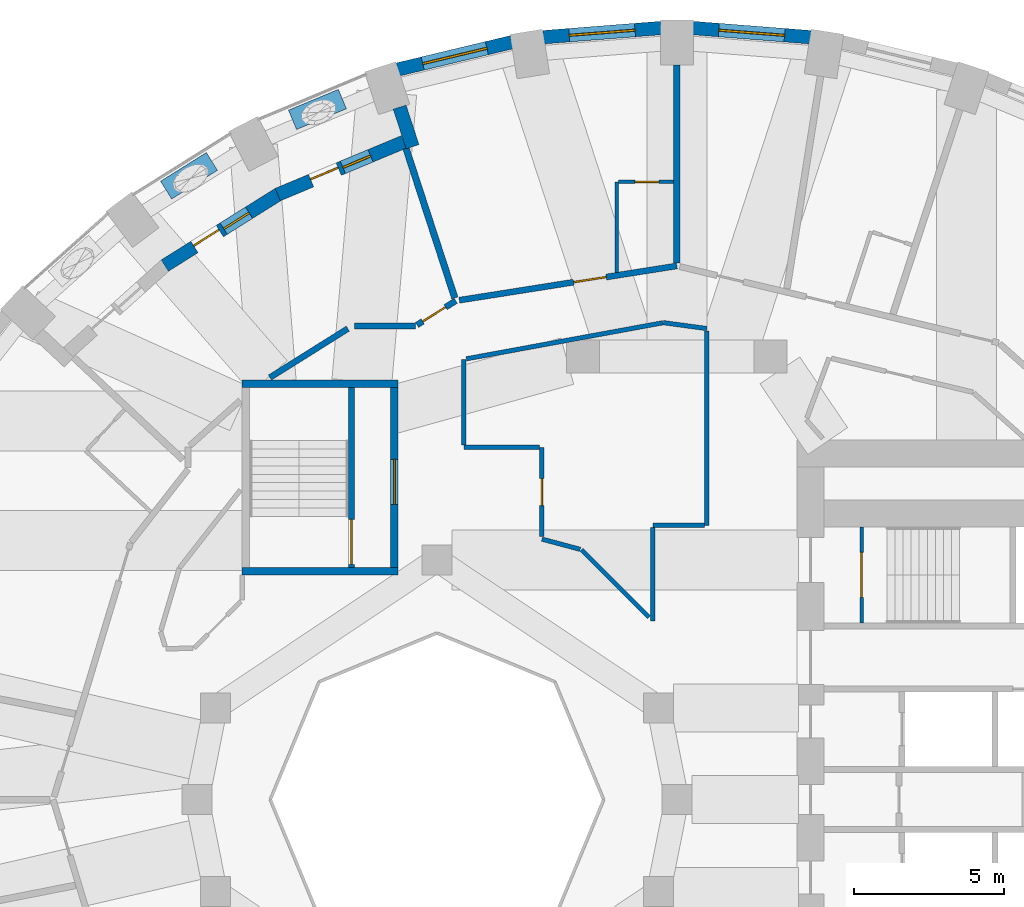
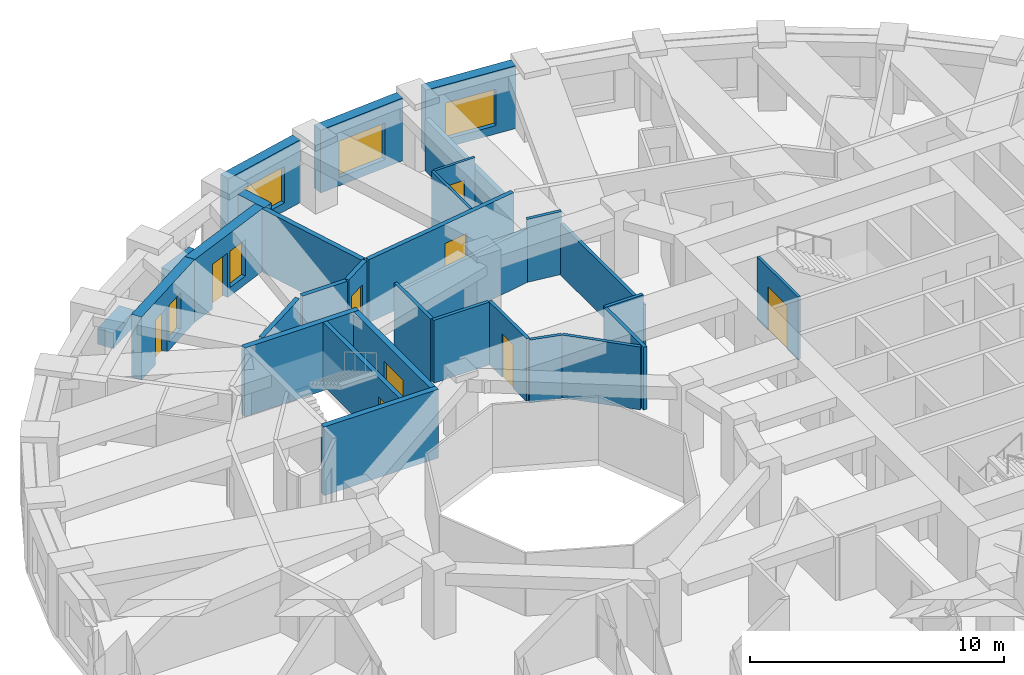
# One storey, part 8 of 13: 31 walls, 9 doors, 5 windows, 14 openings.
"""IFC4 building model written with IfcOpenShell, lengths in metres."""

from ifc_helpers import new_model, si_unit, direction, frame, frame_2d, origin, place, context, subcontext, project, spatial, rectangle, extrude, material, layer, layer_set, constituent, constituent_set, type_object, element, fill, save


model = new_model("IFC4")

# Units and contexts
model_context = context("Model", 3, precision=1e-05, world=origin(), true_north=direction((0.0, 1.0)))
body_context = subcontext(model_context, "Body", "Model", "MODEL_VIEW")
ifc_project = project(units=[si_unit("LENGTHUNIT", "METRE"), si_unit("AREAUNIT", "SQUARE_METRE"), si_unit("VOLUMEUNIT", "CUBIC_METRE"), si_unit("PLANEANGLEUNIT", "RADIAN"), si_unit("MASSUNIT", "GRAM", prefix="KILO")], contexts=[model_context])

# Site, building, storey
site_placement = place(None, origin())
site = spatial("IfcSite", under=ifc_project, at=site_placement, CompositionType="ELEMENT")
building_placement = place(site_placement, origin())
building = spatial("IfcBuilding", under=site, at=building_placement, Name="Taillehof Tower", CompositionType="ELEMENT")
storey_placement = place(building_placement, frame((0.0, 0.0, 48.10009765625)))
storey = spatial("IfcBuildingStorey", under=building, at=storey_placement, Name="L12", CompositionType="ELEMENT", Elevation=48.10009765625)

# Wall, opening, window
ifc_material_1 = material(Name="Brick masonry", Category="masonry")
ifc_layer_1 = layer(ifc_material_1, 0.449951171875)
ifc_layer_set_1 = layer_set([ifc_layer_1], Name="Brick infill wall 450")
wall_type_1 = type_object("IfcWallType", Name="Brick infill wall 450", PredefinedType="SOLIDWALL", material=ifc_layer_set_1)
wall_1_placement = place(storey_placement, frame((4.457275390625, 25.42578125, 0.0), z_axis=(0.0, 0.0, 1.0), x_axis=(-0.996955972145, 0.077966592873, 0.0)))
wall_1 = element("IfcWall", 1, at=wall_1_placement, inside=storey, type_object=wall_type_1, Name="Brick wall L12 bay 9", PredefinedType="SOLIDWALL", context=body_context, shape_type="SweptSolid", body=[
    extrude(rectangle(XDim=3.939208984375, YDim=0.449951171875, at=frame_2d((1.9697265625, 0.0))), origin(), (0.0, 0.0, 1.0), 3.02001953125),
])
opening_1_placement = place(wall_1_placement, frame((0.86962890625, 0.0, 0.39990234375)))
opening_1 = element("IfcOpeningElement", 2, at=opening_1_placement, cuts=wall_1, Name="Opening W1", PredefinedType="OPENING", context=body_context, shape_type="SweptSolid", body=[
    extrude(rectangle(XDim=2.199951171875, YDim=1.75, at=frame_2d((1.10009765625, 0.875))), frame((0.0, 0.23486328125, 0.0), z_axis=(0.0, -1.0, 0.0), x_axis=(1.0, 0.0, 0.0)), (0.0, 0.0, 1.0), 0.469970703125),
])
ifc_material_2 = material(Name="Aluminium window frame with clear double glazing", Category="aluminium")
window_type_1 = type_object("IfcWindowType", Name="Deep-set window 2200x1750", PartitioningType="SINGLE_PANEL", PredefinedType="WINDOW", material=ifc_material_2)
window_1_placement = place(opening_1_placement, origin())
window_1 = element("IfcWindow", 3, at=window_1_placement, inside=storey, type_object=window_type_1, Name="W1", OverallHeight=1.75, OverallWidth=2.199951171875, PartitioningType="SINGLE_PANEL", PredefinedType="WINDOW", context=body_context, shape_type="SweptSolid", body=[
    extrude(rectangle(XDim=2.199951171875, YDim=1.75, at=frame_2d((1.10009765625, 0.875))), frame((0.0, 0.034912109375, 0.0), z_axis=(0.0, -1.0, 0.0), x_axis=(1.0, 0.0, 0.0)), (0.0, 0.0, 1.0), 0.06005859375),
])
fill(opening_1, window_1)

wall_2_placement = place(storey_placement, frame((-0.530029296875, 25.73291015625, 0.0), z_axis=(0.0, 0.0, 1.0), x_axis=(-0.996955972145, -0.077966592873, 0.0)))
wall_2 = element("IfcWall", 4, at=wall_2_placement, inside=storey, type_object=wall_type_1, Name="Brick wall L12 bay 10", PredefinedType="SOLIDWALL", context=body_context, shape_type="SweptSolid", body=[
    extrude(rectangle(XDim=3.939208984375, YDim=0.449951171875, at=frame_2d((1.9697265625, 0.0))), origin(), (0.0, 0.0, 1.0), 3.02001953125),
])
opening_2_placement = place(wall_2_placement, frame((0.86962890625, 0.0, 0.39990234375)))
opening_2 = element("IfcOpeningElement", 5, at=opening_2_placement, cuts=wall_2, Name="Opening W1", PredefinedType="OPENING", context=body_context, shape_type="SweptSolid", body=[
    extrude(rectangle(XDim=2.199951171875, YDim=1.75, at=frame_2d((1.10009765625, 0.875))), frame((0.0, 0.23486328125, 0.0), z_axis=(0.0, -1.0, 0.0), x_axis=(1.0, 0.0, 0.0)), (0.0, 0.0, 1.0), 0.469970703125),
])
window_2_placement = place(opening_2_placement, origin())
window_2 = element("IfcWindow", 6, at=window_2_placement, inside=storey, type_object=window_type_1, Name="W1", OverallHeight=1.75, OverallWidth=2.199951171875, PartitioningType="SINGLE_PANEL", PredefinedType="WINDOW", context=body_context, shape_type="SweptSolid", body=[
    extrude(rectangle(XDim=2.199951171875, YDim=1.75, at=frame_2d((1.10009765625, 0.875))), frame((0.0, 0.034912109375, 0.0), z_axis=(0.0, -1.0, 0.0), x_axis=(1.0, 0.0, 0.0)), (0.0, 0.0, 1.0), 0.06005859375),
])
fill(opening_2, window_2)

wall_3_placement = place(storey_placement, frame((-5.50439453125, 25.260498046875, 0.0), z_axis=(0.0, 0.0, 1.0), x_axis=(-0.972496561493, -0.232917233979, 0.0)))
wall_3 = element("IfcWall", 7, at=wall_3_placement, inside=storey, type_object=wall_type_1, Name="Brick wall L12 bay 11", PredefinedType="SOLIDWALL", context=body_context, shape_type="SweptSolid", body=[
    extrude(rectangle(XDim=3.910888671875, YDim=0.449951171875, at=frame_2d((1.95556640625, 0.0))), origin(), (0.0, 0.0, 1.0), 3.02001953125),
])
opening_3_placement = place(wall_3_placement, frame((0.855224609375, 0.0, 0.39990234375)))
opening_3 = element("IfcOpeningElement", 8, at=opening_3_placement, cuts=wall_3, Name="Opening W1", PredefinedType="OPENING", context=body_context, shape_type="SweptSolid", body=[
    extrude(rectangle(XDim=2.199951171875, YDim=1.75, at=frame_2d((1.10009765625, 0.875))), frame((0.0, 0.23486328125, 0.0), z_axis=(0.0, -1.0, 0.0), x_axis=(1.0, 0.0, 0.0)), (0.0, 0.0, 1.0), 0.469970703125),
])
window_3_placement = place(opening_3_placement, origin())
window_3 = element("IfcWindow", 9, at=window_3_placement, inside=storey, type_object=window_type_1, Name="W1", OverallHeight=1.75, OverallWidth=2.199951171875, PartitioningType="SINGLE_PANEL", PredefinedType="WINDOW", context=body_context, shape_type="SweptSolid", body=[
    extrude(rectangle(XDim=2.199951171875, YDim=1.75, at=frame_2d((1.10009765625, 0.875))), frame((0.0, 0.034912109375, 0.0), z_axis=(0.0, -1.0, 0.0), x_axis=(1.0, 0.0, 0.0)), (0.0, 0.0, 1.0), 0.06005859375),
])
fill(opening_3, window_3)

# Wall
wall_4_placement = place(storey_placement, frame((-9.24560546875, 23.09521484375, 0.0), z_axis=(0.0, 0.0, 1.0), x_axis=(0.310110311429, -0.950700581017, 0.0)))
element("IfcWall", 10, at=wall_4_placement, inside=storey, type_object=wall_type_1, Name="Brick reveal L12 pocket 3", PredefinedType="SOLIDWALL", context=body_context, shape_type="SweptSolid", body=[
    extrude(rectangle(XDim=1.390380859375, YDim=0.449951171875, at=frame_2d((0.6953125, 0.0))), origin(), (0.0, 0.0, 1.0), 3.02001953125),
])

# Wall, openings, door, window
wall_5_placement = place(storey_placement, frame((-9.10400390625, 21.935791015625, 0.0), z_axis=(0.0, 0.0, 1.0), x_axis=(-0.922645368502, -0.385649483317, 0.0)))
wall_5 = element("IfcWall", 11, at=wall_5_placement, inside=storey, type_object=wall_type_1, Name="Brick wall L12 pocket bay 12", PredefinedType="SOLIDWALL", context=body_context, shape_type="SweptSolid", body=[
    extrude(rectangle(XDim=4.55859375, YDim=0.449951171875, at=frame_2d((2.279296875, 0.0))), origin(), (0.0, 0.0, 1.0), 3.02001953125),
])
opening_4_placement = place(wall_5_placement, frame((1.204345703125, 0.0, 0.39990234375)))
opening_4 = element("IfcOpeningElement", 12, at=opening_4_placement, cuts=wall_5, Name="Opening W5", PredefinedType="OPENING", context=body_context, shape_type="SweptSolid", body=[
    extrude(rectangle(XDim=1.0, YDim=1.75, at=frame_2d((0.5, 0.875))), frame((0.0, 0.23486328125, 0.0), z_axis=(0.0, -1.0, 0.0), x_axis=(1.0, 0.0, 0.0)), (0.0, 0.0, 1.0), 0.469970703125),
])
opening_5_placement = place(wall_5_placement, frame((2.354248046875, 0.0, 0.0)))
opening_5 = element("IfcOpeningElement", 13, at=opening_5_placement, cuts=wall_5, Name="Opening D1294", PredefinedType="OPENING", context=body_context, shape_type="SweptSolid", body=[
    extrude(rectangle(XDim=1.0, YDim=2.14990234375, at=frame_2d((0.5, 1.074951171875))), frame((0.0, 0.23486328125, 0.0), z_axis=(0.0, -1.0, 0.0), x_axis=(1.0, 0.0, 0.0)), (0.0, 0.0, 1.0), 0.469970703125),
])
ifc_material_3 = material(Name="Aluminium door frame with clear double glazing", Category="aluminium")
door_type_1 = type_object("IfcDoorType", Name="Balcony door 1000x2150", OperationType="SINGLE_SWING_RIGHT", PredefinedType="DOOR", material=ifc_material_3)
door_1_placement = place(opening_5_placement, frame((1.0, 0.0, 0.0), z_axis=(0.0, 0.0, 1.0), x_axis=(-1.0, 0.0, 0.0)))
door_1 = element("IfcDoor", 14, at=door_1_placement, inside=storey, type_object=door_type_1, Name="Balcony door L12 bay 12", OperationType="SINGLE_SWING_RIGHT", OverallHeight=2.14990234375, OverallWidth=1.0, PredefinedType="DOOR", context=body_context, shape_type="SweptSolid", body=[
    extrude(rectangle(XDim=1.0, YDim=2.14990234375, at=frame_2d((0.5, 1.074951171875))), frame((0.0, 0.0751953125, 0.0), z_axis=(0.0, -1.0, 0.0), x_axis=(1.0, 0.0, 0.0)), (0.0, 0.0, 1.0), 0.050048828125),
])
fill(opening_5, door_1)
ifc_material_4 = material(Name="Aluminium window frame with clear double glazing", Category="aluminium")
window_type_2 = type_object("IfcWindowType", Name="Fixed window 1000x1750", PartitioningType="SINGLE_PANEL", PredefinedType="WINDOW", material=ifc_material_4)
window_4_placement = place(opening_4_placement, origin())
window_4 = element("IfcWindow", 15, at=window_4_placement, inside=storey, type_object=window_type_2, Name="W5", OverallHeight=1.75, OverallWidth=1.0, PartitioningType="SINGLE_PANEL", PredefinedType="WINDOW", context=body_context, shape_type="SweptSolid", body=[
    extrude(rectangle(XDim=1.0, YDim=1.75, at=frame_2d((0.5, 0.875))), frame((0.0, 0.034912109375, 0.0), z_axis=(0.0, -1.0, 0.0), x_axis=(1.0, 0.0, 0.0)), (0.0, 0.0, 1.0), 0.06005859375),
])
fill(opening_4, window_4)

wall_6_placement = place(storey_placement, frame((-13.277099609375, 20.194580078125, 0.0), z_axis=(0.0, 0.0, 1.0), x_axis=(-0.846976005863, -0.531631117874, 0.0)))
wall_6 = element("IfcWall", 16, at=wall_6_placement, inside=storey, type_object=wall_type_1, Name="Brick wall L12 pocket bay 13", PredefinedType="SOLIDWALL", context=body_context, shape_type="SweptSolid", body=[
    extrude(rectangle(XDim=4.488037109375, YDim=0.449951171875, at=frame_2d((2.244140625, 0.0))), origin(), (0.0, 0.0, 1.0), 3.02001953125),
])
opening_6_placement = place(wall_6_placement, frame((1.1689453125, 0.0, 0.39990234375)))
opening_6 = element("IfcOpeningElement", 17, at=opening_6_placement, cuts=wall_6, Name="Opening W5", PredefinedType="OPENING", context=body_context, shape_type="SweptSolid", body=[
    extrude(rectangle(XDim=1.0, YDim=1.75, at=frame_2d((0.5, 0.875))), frame((0.0, 0.23486328125, 0.0), z_axis=(0.0, -1.0, 0.0), x_axis=(1.0, 0.0, 0.0)), (0.0, 0.0, 1.0), 0.469970703125),
])
opening_7_placement = place(wall_6_placement, frame((2.319091796875, 0.0, 0.0)))
opening_7 = element("IfcOpeningElement", 18, at=opening_7_placement, cuts=wall_6, Name="Opening D1295", PredefinedType="OPENING", context=body_context, shape_type="SweptSolid", body=[
    extrude(rectangle(XDim=1.0, YDim=2.14990234375, at=frame_2d((0.5, 1.074951171875))), frame((0.0, 0.23486328125, 0.0), z_axis=(0.0, -1.0, 0.0), x_axis=(1.0, 0.0, 0.0)), (0.0, 0.0, 1.0), 0.469970703125),
])
door_2_placement = place(opening_7_placement, frame((1.0, 0.0, 0.0), z_axis=(0.0, 0.0, 1.0), x_axis=(-1.0, 0.0, 0.0)))
door_2 = element("IfcDoor", 19, at=door_2_placement, inside=storey, type_object=door_type_1, Name="Balcony door L12 bay 13", OperationType="SINGLE_SWING_LEFT", OverallHeight=2.14990234375, OverallWidth=1.0, PredefinedType="DOOR", context=body_context, shape_type="SweptSolid", body=[
    extrude(rectangle(XDim=1.0, YDim=2.14990234375, at=frame_2d((0.5, 1.074951171875))), frame((0.0, 0.0751953125, 0.0), z_axis=(0.0, -1.0, 0.0), x_axis=(1.0, 0.0, 0.0)), (0.0, 0.0, 1.0), 0.050048828125),
])
fill(opening_7, door_2)
window_5_placement = place(opening_6_placement, origin())
window_5 = element("IfcWindow", 20, at=window_5_placement, inside=storey, type_object=window_type_2, Name="W5", OverallHeight=1.75, OverallWidth=1.0, PartitioningType="SINGLE_PANEL", PredefinedType="WINDOW", context=body_context, shape_type="SweptSolid", body=[
    extrude(rectangle(XDim=1.0, YDim=1.75, at=frame_2d((0.5, 0.875))), frame((0.0, 0.034912109375, 0.0), z_axis=(0.0, -1.0, 0.0), x_axis=(1.0, 0.0, 0.0)), (0.0, 0.0, 1.0), 0.06005859375),
])
fill(opening_6, window_5)

# Walls
ifc_material_5 = material(Name="Gypsum board on steel studs, two layers each side", Category="steel")
ifc_layer_2 = layer(ifc_material_5, 0.199951171875)
ifc_layer_set_2 = layer_set([ifc_layer_2], Name="Compartment wall corridor 200")
wall_type_2 = type_object("IfcWallType", Name="Compartment wall corridor 200", PredefinedType="PARTITIONING", material=ifc_layer_set_2)
wall_7_placement = place(storey_placement, frame((-13.57080078125, 14.077392578125, 0.0), z_axis=(0.0, 0.0, 1.0), x_axis=(0.846954991261, 0.53166459613, 0.0)))
element("IfcWall", 21, at=wall_7_placement, inside=storey, type_object=wall_type_2, Name="Compartment wall", PredefinedType="PARTITIONING", context=body_context, shape_type="SweptSolid", body=[
    extrude(rectangle(XDim=3.06787109375, YDim=0.199951171875, at=frame_2d((1.533935546875, 0.0))), origin(), (0.0, 0.0, 1.0), 3.02001953125),
])
wall_8_placement = place(storey_placement, frame((-10.75341796875, 15.800048828125, 0.0), z_axis=(0.0, 0.0, 1.0), x_axis=(1.0, 0.0, 0.0)))
element("IfcWall", 22, at=wall_8_placement, inside=storey, type_object=wall_type_2, Name="Compartment wall", PredefinedType="PARTITIONING", context=body_context, shape_type="SweptSolid", body=[
    extrude(rectangle(XDim=2.03857421875, YDim=0.199951171875, at=frame_2d((1.019287109375, 0.0))), origin(), (0.0, 0.0, 1.0), 3.02001953125),
])

# Wall, opening, door
wall_9_placement = place(storey_placement, frame((-8.664306640625, 15.83154296875, 0.0), z_axis=(0.0, 0.0, 1.0), x_axis=(0.848304931689, 0.529508019648, 0.0)))
wall_9 = element("IfcWall", 23, at=wall_9_placement, inside=storey, type_object=wall_type_2, Name="Compartment wall", PredefinedType="PARTITIONING", context=body_context, shape_type="SweptSolid", body=[
    extrude(rectangle(XDim=1.520263671875, YDim=0.199951171875, at=frame_2d((0.76025390625, 0.0))), origin(), (0.0, 0.0, 1.0), 3.02001953125),
])
opening_8_placement = place(wall_9_placement, frame((0.219970703125, 0.0, 0.0)))
opening_8 = element("IfcOpeningElement", 24, at=opening_8_placement, cuts=wall_9, Name="Opening D1247", PredefinedType="OPENING", context=body_context, shape_type="SweptSolid", body=[
    extrude(rectangle(XDim=0.89990234375, YDim=2.10009765625, at=frame_2d((0.449951171875, 1.050048828125))), frame((0.0, 0.10986328125, 0.0), z_axis=(0.0, -1.0, 0.0), x_axis=(1.0, 0.0, 0.0)), (0.0, 0.0, 1.0), 0.219970703125),
])
ifc_material_6 = material(Name="Timber door leaf in steel frame", Category="steel")
door_type_2 = type_object("IfcDoorType", Name="Service room door EI 30 900 x 2100", OperationType="SINGLE_SWING_LEFT", PredefinedType="DOOR", material=ifc_material_6)
door_3_placement = place(opening_8_placement, origin())
door_3 = element("IfcDoor", 25, at=door_3_placement, inside=storey, type_object=door_type_2, Name="D1247", OperationType="SINGLE_SWING_LEFT", OverallHeight=2.10009765625, OverallWidth=0.89990234375, PredefinedType="DOOR", context=body_context, shape_type="SweptSolid", body=[
    extrude(rectangle(XDim=0.89990234375, YDim=2.10009765625, at=frame_2d((0.449951171875, 1.050048828125))), frame((0.0, 0.02490234375, 0.0), z_axis=(0.0, -1.0, 0.0), x_axis=(1.0, 0.0, 0.0)), (0.0, 0.0, 1.0), 0.050048828125),
])
fill(opening_8, door_3)

wall_10_placement = place(storey_placement, frame((-7.256103515625, 16.655517578125, 0.0), z_axis=(0.0, 0.0, 1.0), x_axis=(0.987787475409, 0.15580726371, 0.0)))
wall_10 = element("IfcWall", 26, at=wall_10_placement, inside=storey, type_object=wall_type_2, Name="Compartment wall", PredefinedType="PARTITIONING", context=body_context, shape_type="SweptSolid", body=[
    extrude(rectangle(XDim=7.345703125, YDim=0.199951171875, at=frame_2d((3.6728515625, 0.0))), origin(), (0.0, 0.0, 1.0), 3.02001953125),
])
opening_9_placement = place(wall_10_placement, frame((3.859619140625, 0.0, 0.0)))
opening_9 = element("IfcOpeningElement", 27, at=opening_9_placement, cuts=wall_10, Name="Opening D1245", PredefinedType="OPENING", context=body_context, shape_type="SweptSolid", body=[
    extrude(rectangle(XDim=1.10009765625, YDim=2.10009765625, at=frame_2d((0.550048828125, 1.050048828125))), frame((0.0, 0.10986328125, 0.0), z_axis=(0.0, -1.0, 0.0), x_axis=(1.0, 0.0, 0.0)), (0.0, 0.0, 1.0), 0.219970703125),
])
ifc_material_7 = material(Name="Timber door leaf in steel frame", Category="steel")
door_type_3 = type_object("IfcDoorType", Name="Suite entrance door EI 30 1100 x 2100", OperationType="SINGLE_SWING_LEFT", PredefinedType="DOOR", material=ifc_material_7)
door_4_placement = place(opening_9_placement, origin())
door_4 = element("IfcDoor", 28, at=door_4_placement, inside=storey, type_object=door_type_3, Name="D1245", OperationType="SINGLE_SWING_RIGHT", OverallHeight=2.10009765625, OverallWidth=1.10009765625, PredefinedType="DOOR", context=body_context, shape_type="SweptSolid", body=[
    extrude(rectangle(XDim=1.10009765625, YDim=2.10009765625, at=frame_2d((0.550048828125, 1.050048828125))), frame((0.0, 0.02490234375, 0.0), z_axis=(0.0, -1.0, 0.0), x_axis=(1.0, 0.0, 0.0)), (0.0, 0.0, 1.0), 0.050048828125),
])
fill(opening_9, door_4)

# Walls
ifc_material_8 = material(Name="Gypsum board on double steel studs with mineral wool", Category="steel")
ifc_layer_3 = layer(ifc_material_8, 0.219970703125)
ifc_layer_set_3 = layer_set([ifc_layer_3], Name="Compartment wall guest room 220")
wall_type_3 = type_object("IfcWallType", Name="Compartment wall guest room 220", PredefinedType="PARTITIONING", material=ifc_layer_set_3)
wall_11_placement = place(storey_placement, frame((0.0, 24.5, 0.0), z_axis=(0.0, 0.0, 1.0), x_axis=(0.0, -1.0, 0.0)))
element("IfcWall", 29, at=wall_11_placement, inside=storey, type_object=wall_type_3, Name="Compartment wall", PredefinedType="PARTITIONING", context=body_context, shape_type="SweptSolid", body=[
    extrude(rectangle(XDim=6.599853515625, YDim=0.219970703125, at=frame_2d((3.2998046875, 0.0))), origin(), (0.0, 0.0, 1.0), 2.469970703125),
])
wall_12_placement = place(storey_placement, frame((-9.033935546875, 21.72119140625, 0.0), z_axis=(0.0, 0.0, 1.0), x_axis=(0.310304845104, -0.950637103791, 0.0)))
element("IfcWall", 30, at=wall_12_placement, inside=storey, type_object=wall_type_3, Name="Compartment wall", PredefinedType="PARTITIONING", context=body_context, shape_type="SweptSolid", body=[
    extrude(rectangle(XDim=5.24853515625, YDim=0.219970703125, at=frame_2d((2.624267578125, 0.0))), origin(), (0.0, 0.0, 1.0), 3.02001953125),
])
ifc_material_9 = material(Name="Gypsum board on steel studs, two layers each side", Category="steel")
ifc_layer_4 = layer(ifc_material_9, 0.14990234375)
ifc_layer_set_4 = layer_set([ifc_layer_4], Name="Compartment wall service room 150")
wall_type_4 = type_object("IfcWallType", Name="Compartment wall service room 150", PredefinedType="PARTITIONING", material=ifc_layer_set_4)
wall_13_placement = place(storey_placement, frame((-0.45068359375, 15.90673828125, 0.0), z_axis=(0.0, 0.0, 1.0), x_axis=(0.99094751199, -0.134249873301, 0.0)))
element("IfcWall", 31, at=wall_13_placement, inside=storey, type_object=wall_type_4, Name="Compartment wall", PredefinedType="PARTITIONING", context=body_context, shape_type="SweptSolid", body=[
    extrude(rectangle(XDim=1.4638671875, YDim=0.14990234375, at=frame_2d((0.73193359375, 0.0))), origin(), (0.0, 0.0, 1.0), 3.02001953125),
])
wall_14_placement = place(storey_placement, frame((1.0, 15.630126953125, 0.0), z_axis=(0.0, 0.0, 1.0), x_axis=(0.0, -1.0, 0.0)))
element("IfcWall", 32, at=wall_14_placement, inside=storey, type_object=wall_type_4, Name="Compartment wall", PredefinedType="PARTITIONING", context=body_context, shape_type="SweptSolid", body=[
    extrude(rectangle(XDim=6.480224609375, YDim=0.14990234375, at=frame_2d((3.240234375, 0.0))), origin(), (0.0, 0.0, 1.0), 2.469970703125),
])
wall_15_placement = place(storey_placement, frame((0.919921875, 9.14990234375, 0.0), z_axis=(0.0, 0.0, 1.0), x_axis=(-1.0, 0.0, 0.0)))
element("IfcWall", 33, at=wall_15_placement, inside=storey, type_object=wall_type_4, Name="Compartment wall", PredefinedType="PARTITIONING", context=body_context, shape_type="SweptSolid", body=[
    extrude(rectangle(XDim=1.719970703125, YDim=0.14990234375, at=frame_2d((0.85986328125, 0.0))), origin(), (0.0, 0.0, 1.0), 3.02001953125),
])
wall_16_placement = place(storey_placement, frame((-0.800048828125, 9.06982421875, 0.0), z_axis=(0.0, 0.0, 1.0), x_axis=(0.0, -1.0, 0.0)))
element("IfcWall", 34, at=wall_16_placement, inside=storey, type_object=wall_type_4, Name="Compartment wall", PredefinedType="PARTITIONING", context=body_context, shape_type="SweptSolid", body=[
    extrude(rectangle(XDim=3.11767578125, YDim=0.14990234375, at=frame_2d((1.558837890625, 0.0))), origin(), (0.0, 0.0, 1.0), 3.02001953125),
])
wall_17_placement = place(storey_placement, frame((-0.927490234375, 6.07958984375, 0.0), z_axis=(0.0, 0.0, 1.0), x_axis=(-0.707106781187, 0.707106781187, 0.0)))
element("IfcWall", 35, at=wall_17_placement, inside=storey, type_object=wall_type_4, Name="Compartment wall", PredefinedType="PARTITIONING", context=body_context, shape_type="SweptSolid", body=[
    extrude(rectangle(XDim=3.194091796875, YDim=0.14990234375, at=frame_2d((1.59716796875, 0.0))), origin(), (0.0, 0.0, 1.0), 3.02001953125),
])
wall_18_placement = place(storey_placement, frame((-3.224609375, 8.348388671875, 0.0), z_axis=(0.0, 0.0, 1.0), x_axis=(-0.965915035697, 0.258859312783, 0.0)))
element("IfcWall", 36, at=wall_18_placement, inside=storey, type_object=wall_type_4, Name="Compartment wall", PredefinedType="PARTITIONING", context=body_context, shape_type="SweptSolid", body=[
    extrude(rectangle(XDim=1.3203125, YDim=0.14990234375, at=frame_2d((0.66015625, 0.0))), origin(), (0.0, 0.0, 1.0), 3.02001953125),
])

# Wall, opening, door
wall_19_placement = place(storey_placement, frame((-4.5, 8.770263671875, 0.0), z_axis=(0.0, 0.0, 1.0), x_axis=(0.0, 1.0, 0.0)))
wall_19 = element("IfcWall", 37, at=wall_19_placement, inside=storey, type_object=wall_type_4, Name="Compartment wall", PredefinedType="PARTITIONING", context=body_context, shape_type="SweptSolid", body=[
    extrude(rectangle(XDim=2.979736328125, YDim=0.14990234375, at=frame_2d((1.48974609375, 0.0))), origin(), (0.0, 0.0, 1.0), 3.02001953125),
])
opening_10_placement = place(wall_19_placement, frame((1.039794921875, 0.0, 0.0)))
opening_10 = element("IfcOpeningElement", 38, at=opening_10_placement, cuts=wall_19, Name="Opening D1270", PredefinedType="OPENING", context=body_context, shape_type="SweptSolid", body=[
    extrude(rectangle(XDim=0.89990234375, YDim=2.10009765625, at=frame_2d((0.449951171875, 1.050048828125))), frame((0.0, 0.0849609375, 0.0), z_axis=(0.0, -1.0, 0.0), x_axis=(1.0, 0.0, 0.0)), (0.0, 0.0, 1.0), 0.169921875),
])
door_5_placement = place(opening_10_placement, origin())
door_5 = element("IfcDoor", 39, at=door_5_placement, inside=storey, type_object=door_type_2, Name="D1270", OperationType="SINGLE_SWING_RIGHT", OverallHeight=2.10009765625, OverallWidth=0.89990234375, PredefinedType="DOOR", context=body_context, shape_type="SweptSolid", body=[
    extrude(rectangle(XDim=0.89990234375, YDim=2.10009765625, at=frame_2d((0.449951171875, 1.050048828125))), frame((0.0, 0.02490234375, 0.0), z_axis=(0.0, -1.0, 0.0), x_axis=(1.0, 0.0, 0.0)), (0.0, 0.0, 1.0), 0.050048828125),
])
fill(opening_10, door_5)

# Walls
wall_20_placement = place(storey_placement, frame((-4.580078125, 11.75, 0.0), z_axis=(0.0, 0.0, 1.0), x_axis=(-1.0, 0.0, 0.0)))
element("IfcWall", 40, at=wall_20_placement, inside=storey, type_object=wall_type_4, Name="Compartment wall", PredefinedType="PARTITIONING", context=body_context, shape_type="SweptSolid", body=[
    extrude(rectangle(XDim=2.52001953125, YDim=0.14990234375, at=frame_2d((1.260009765625, 0.0))), origin(), (0.0, 0.0, 1.0), 3.02001953125),
])
wall_21_placement = place(storey_placement, frame((-7.10009765625, 11.830078125, 0.0), z_axis=(0.0, 0.0, 1.0), x_axis=(0.0, 1.0, 0.0)))
element("IfcWall", 41, at=wall_21_placement, inside=storey, type_object=wall_type_4, Name="Compartment wall", PredefinedType="PARTITIONING", context=body_context, shape_type="SweptSolid", body=[
    extrude(rectangle(XDim=2.85595703125, YDim=0.14990234375, at=frame_2d((1.427978515625, 0.0))), origin(), (0.0, 0.0, 1.0), 3.02001953125),
])
wall_22_placement = place(storey_placement, frame((-7.02099609375, 14.70068359375, 0.0), z_axis=(0.0, 0.0, 1.0), x_axis=(0.983567630435, 0.180540068573, 0.0)))
element("IfcWall", 42, at=wall_22_placement, inside=storey, type_object=wall_type_4, Name="Compartment wall", PredefinedType="PARTITIONING", context=body_context, shape_type="SweptSolid", body=[
    extrude(rectangle(XDim=6.659912109375, YDim=0.14990234375, at=frame_2d((3.330078125, 0.0))), origin(), (0.0, 0.0, 1.0), 2.56982421875),
])
ifc_material_10 = material(Name="Gypsum board on steel studs, moisture resistant", Category="steel")
ifc_layer_5 = layer(ifc_material_10, 0.1201171875)
ifc_layer_set_5 = layer_set([ifc_layer_5], Name="En-suite wall 120")
wall_type_5 = type_object("IfcWallType", Name="En-suite wall 120", PredefinedType="PARTITIONING", material=ifc_layer_set_5)
wall_23_placement = place(storey_placement, frame((-2.0, 17.585693359375, 0.0), z_axis=(0.0, 0.0, 1.0), x_axis=(0.0, 1.0, 0.0)))
element("IfcWall", 43, at=wall_23_placement, inside=storey, type_object=wall_type_5, Name="En-suite wall", PredefinedType="PARTITIONING", context=body_context, shape_type="SweptSolid", body=[
    extrude(rectangle(XDim=3.014404296875, YDim=0.1201171875, at=frame_2d((1.50732421875, 0.0))), origin(), (0.0, 0.0, 1.0), 3.02001953125),
])

# Wall, opening, door
wall_24_placement = place(storey_placement, frame((-1.93994140625, 20.60009765625, 0.0), z_axis=(0.0, 0.0, 1.0), x_axis=(1.0, 0.0, 0.0)))
wall_24 = element("IfcWall", 44, at=wall_24_placement, inside=storey, type_object=wall_type_5, Name="En-suite wall", PredefinedType="PARTITIONING", context=body_context, shape_type="SweptSolid", body=[
    extrude(rectangle(XDim=1.829833984375, YDim=0.1201171875, at=frame_2d((0.9150390625, 0.0))), origin(), (0.0, 0.0, 1.0), 3.02001953125),
])
opening_11_placement = place(wall_24_placement, frame((0.5400390625, 0.0, 0.0)))
opening_11 = element("IfcOpeningElement", 45, at=opening_11_placement, cuts=wall_24, Name="Opening D1246", PredefinedType="OPENING", context=body_context, shape_type="SweptSolid", body=[
    extrude(rectangle(XDim=0.800048828125, YDim=2.10009765625, at=frame_2d((0.39990234375, 1.050048828125))), frame((0.0, 0.070068359375, 0.0), z_axis=(0.0, -1.0, 0.0), x_axis=(1.0, 0.0, 0.0)), (0.0, 0.0, 1.0), 0.14013671875),
])
ifc_material_11 = material(Name="Timber door leaf in steel frame", Category="steel")
door_type_4 = type_object("IfcDoorType", Name="En-suite door 800 x 2100", OperationType="SINGLE_SWING_LEFT", PredefinedType="DOOR", material=ifc_material_11)
door_6_placement = place(opening_11_placement, origin())
door_6 = element("IfcDoor", 46, at=door_6_placement, inside=storey, type_object=door_type_4, Name="D1246", OperationType="SINGLE_SWING_RIGHT", OverallHeight=2.10009765625, OverallWidth=0.800048828125, PredefinedType="DOOR", context=body_context, shape_type="SweptSolid", body=[
    extrude(rectangle(XDim=0.800048828125, YDim=2.10009765625, at=frame_2d((0.39990234375, 1.050048828125))), frame((0.0, 0.02490234375, 0.0), z_axis=(0.0, -1.0, 0.0), x_axis=(1.0, 0.0, 0.0)), (0.0, 0.0, 1.0), 0.050048828125),
])
fill(opening_11, door_6)

# Walls
ifc_material_12 = material(Name="Concrete C30/37 precast", Category="concrete")
ifc_constituent_1 = constituent(ifc_material_12, Name="Structure", Category="concrete")
ifc_material_13 = material(Name="Insulated lining")
ifc_constituent_2 = constituent(ifc_material_13, Name="Lining")
ifc_constituent_set = constituent_set(constituents=[ifc_constituent_1, ifc_constituent_2], Name="Planter trough 700x750")
wall_type_6 = type_object("IfcWallType", Name="Planter trough 700x750", PredefinedType="USERDEFINED", material=ifc_constituent_set)
wall_25_placement = place(storey_placement, frame((-11.1552734375, 23.3623046875, 0.0), z_axis=(0.0, 0.0, 1.0), x_axis=(-0.923000660042, -0.384798364811, 0.0)))
element("IfcWall", 47, at=wall_25_placement, inside=storey, type_object=wall_type_6, Name="Planter L12 bay 12", ObjectType="PLANTER", PredefinedType="USERDEFINED", context=body_context, shape_type="SweptSolid", body=[
    extrude(rectangle(XDim=1.800048828125, YDim=0.699951171875, at=frame_2d((0.89990234375, 0.0))), origin(), (0.0, 0.0, 1.0), 0.75),
])
wall_26_placement = place(storey_placement, frame((-15.506103515625, 21.282958984375, 0.0), z_axis=(0.0, 0.0, 1.0), x_axis=(-0.847609446823, -0.530620604252, 0.0)))
element("IfcWall", 48, at=wall_26_placement, inside=storey, type_object=wall_type_6, Name="Planter L12 bay 13", ObjectType="PLANTER", PredefinedType="USERDEFINED", context=body_context, shape_type="SweptSolid", body=[
    extrude(rectangle(XDim=1.7998046875, YDim=0.699951171875, at=frame_2d((0.89990234375, 0.0))), origin(), (0.0, 0.0, 1.0), 0.75),
])

# Wall, opening, door
ifc_material_14 = material(Name="Concrete C50/60", Category="concrete")
ifc_layer_6 = layer(ifc_material_14, 0.199951171875)
ifc_layer_set_6 = layer_set([ifc_layer_6], Name="Shaft wall C50/60 200")
wall_type_7 = type_object("IfcWallType", Name="Shaft wall C50/60 200", PredefinedType="SHEAR", material=ifc_layer_set_6)
wall_27_placement = place(storey_placement, frame((-10.85009765625, 7.75, 0.0), z_axis=(0.0, 0.0, 1.0), x_axis=(0.0, 1.0, 0.0)))
wall_27 = element("IfcWall", 49, at=wall_27_placement, inside=storey, type_object=wall_type_7, Name="Shaft wall SW", PredefinedType="SHEAR", context=body_context, shape_type="SweptSolid", body=[
    extrude(rectangle(XDim=6.0, YDim=0.199951171875, at=frame_2d((3.0, 0.0))), origin(), (0.0, 0.0, 1.0), 3.02001953125),
])
opening_12_placement = place(wall_27_placement, frame((0.10009765625, 0.0, 0.0)))
opening_12 = element("IfcOpeningElement", 50, at=opening_12_placement, cuts=wall_27, Name="Opening D1212", PredefinedType="OPENING", context=body_context, shape_type="SweptSolid", body=[
    extrude(rectangle(XDim=1.5, YDim=2.10009765625, at=frame_2d((0.75, 1.050048828125))), frame((0.0, 0.10986328125, 0.0), z_axis=(0.0, -1.0, 0.0), x_axis=(1.0, 0.0, 0.0)), (0.0, 0.0, 1.0), 0.219970703125),
])
ifc_material_15 = material(Name="Steel-faced fire door", Category="steel")
door_type_5 = type_object("IfcDoorType", Name="Stair door 1500x2100", OperationType="DOUBLE_DOOR_SINGLE_SWING", PredefinedType="DOOR", material=ifc_material_15)
door_7_placement = place(opening_12_placement, origin())
door_7 = element("IfcDoor", 51, at=door_7_placement, inside=storey, type_object=door_type_5, Name="Stair lobby door S3", OperationType="DOUBLE_DOOR_SINGLE_SWING", OverallHeight=2.10009765625, OverallWidth=1.5, PredefinedType="DOOR", context=body_context, shape_type="SweptSolid", body=[
    extrude(rectangle(XDim=1.5, YDim=2.10009765625, at=frame_2d((0.75, 1.050048828125))), frame((0.0, 0.02490234375, 0.0), z_axis=(0.0, -1.0, 0.0), x_axis=(1.0, 0.0, 0.0)), (0.0, 0.0, 1.0), 0.050048828125),
])
fill(opening_12, door_7)

ifc_material_16 = material(Name="Concrete C50/60", Category="concrete")
ifc_layer_7 = layer(ifc_material_16, 0.1201171875)
ifc_layer_set_7 = layer_set([ifc_layer_7], Name="Stair lobby wall C50/60 120")
wall_type_8 = type_object("IfcWallType", Name="Stair lobby wall C50/60 120", PredefinedType="SHEAR", material=ifc_layer_set_7)
wall_28_placement = place(storey_placement, frame((6.159912109375, 5.89990234375, 0.0), z_axis=(0.0, 0.0, 1.0), x_axis=(0.0, 1.0, 0.0)))
wall_28 = element("IfcWall", 52, at=wall_28_placement, inside=storey, type_object=wall_type_8, Name="Compartment wall SW", PredefinedType="SHEAR", context=body_context, shape_type="SweptSolid", body=[
    extrude(rectangle(XDim=3.2001953125, YDim=0.1201171875, at=frame_2d((1.60009765625, 0.0))), origin(), (0.0, 0.0, 1.0), 3.02001953125),
])
opening_13_placement = place(wall_28_placement, frame((0.85009765625, 0.0, 0.0)))
opening_13 = element("IfcOpeningElement", 53, at=opening_13_placement, cuts=wall_28, Name="Opening D1210", PredefinedType="OPENING", context=body_context, shape_type="SweptSolid", body=[
    extrude(rectangle(XDim=1.5, YDim=2.10009765625, at=frame_2d((0.75, 1.050048828125))), frame((0.0, 0.070068359375, 0.0), z_axis=(0.0, -1.0, 0.0), x_axis=(1.0, 0.0, 0.0)), (0.0, 0.0, 1.0), 0.14013671875),
])
door_8_placement = place(opening_13_placement, origin())
door_8 = element("IfcDoor", 54, at=door_8_placement, inside=storey, type_object=door_type_5, Name="Stair lobby door S1", OperationType="DOUBLE_DOOR_SINGLE_SWING", OverallHeight=2.10009765625, OverallWidth=1.5, PredefinedType="DOOR", context=body_context, shape_type="SweptSolid", body=[
    extrude(rectangle(XDim=1.5, YDim=2.10009765625, at=frame_2d((0.75, 1.050048828125))), frame((0.0, 0.02490234375, 0.0), z_axis=(0.0, -1.0, 0.0), x_axis=(1.0, 0.0, 0.0)), (0.0, 0.0, 1.0), 0.050048828125),
])
fill(opening_13, door_8)

ifc_material_17 = material(Name="Concrete C50/60", Category="concrete")
ifc_layer_8 = layer(ifc_material_17, 0.25)
ifc_layer_set_8 = layer_set([ifc_layer_8], Name="Stair wall C50/60 250")
wall_type_9 = type_object("IfcWallType", Name="Stair wall C50/60 250", PredefinedType="SHEAR", material=ifc_layer_set_8)
wall_29_placement = place(storey_placement, frame((-9.425048828125, 7.75, -0.280029296875), z_axis=(0.0, 0.0, 1.0), x_axis=(0.0, 1.0, 0.0)))
wall_29 = element("IfcWall", 55, at=wall_29_placement, inside=storey, type_object=wall_type_9, Name="Stair wall SC", PredefinedType="SHEAR", context=body_context, shape_type="SweptSolid", body=[
    extrude(rectangle(XDim=6.0, YDim=0.25, at=frame_2d((3.0, 0.0))), origin(), (0.0, 0.0, 1.0), 3.300048828125),
])
opening_14_placement = place(wall_29_placement, frame((2.10009765625, 0.0, 0.280029296875)))
opening_14 = element("IfcOpeningElement", 56, at=opening_14_placement, cuts=wall_29, Name="Opening D1219", PredefinedType="OPENING", context=body_context, shape_type="SweptSolid", body=[
    extrude(rectangle(XDim=1.5, YDim=2.10009765625, at=frame_2d((0.75, 1.050048828125))), frame((0.0, 0.135009765625, 0.0), z_axis=(0.0, -1.0, 0.0), x_axis=(1.0, 0.0, 0.0)), (0.0, 0.0, 1.0), 0.27001953125),
])
door_9_placement = place(opening_14_placement, origin())
door_9 = element("IfcDoor", 57, at=door_9_placement, inside=storey, type_object=door_type_5, Name="Stair door S3", OperationType="DOUBLE_DOOR_SINGLE_SWING", OverallHeight=2.10009765625, OverallWidth=1.5, PredefinedType="DOOR", context=body_context, shape_type="SweptSolid", body=[
    extrude(rectangle(XDim=1.5, YDim=2.10009765625, at=frame_2d((0.75, 1.050048828125))), frame((0.0, 0.02490234375, 0.0), z_axis=(0.0, -1.0, 0.0), x_axis=(1.0, 0.0, 0.0)), (0.0, 0.0, 1.0), 0.050048828125),
])
fill(opening_14, door_9)

# Walls
for number, where, z_axis, x_axis, name in (
    (58, (-14.5, 13.875, -0.280029296875), (0.0, 0.0, 1.0), (1.0, 0.0, 0.0), "Stair wall SC"),
    (59, (-14.5, 7.625, -0.280029296875), (0.0, 0.0, 1.0), (1.0, 0.0, 0.0), "Stair wall SC"),
):
    element("IfcWall", number, at=place(storey_placement, frame(where, z_axis=z_axis, x_axis=x_axis)), inside=storey, type_object=wall_type_9, Name=name, PredefinedType="SHEAR", context=body_context, shape_type="SweptSolid", body=[
        extrude(rectangle(XDim=5.199951171875, YDim=0.25, at=frame_2d((2.60009765625, 0.0))), origin(), (0.0, 0.0, 1.0), 3.300048828125),
    ])

save(model, "model.ifc")
